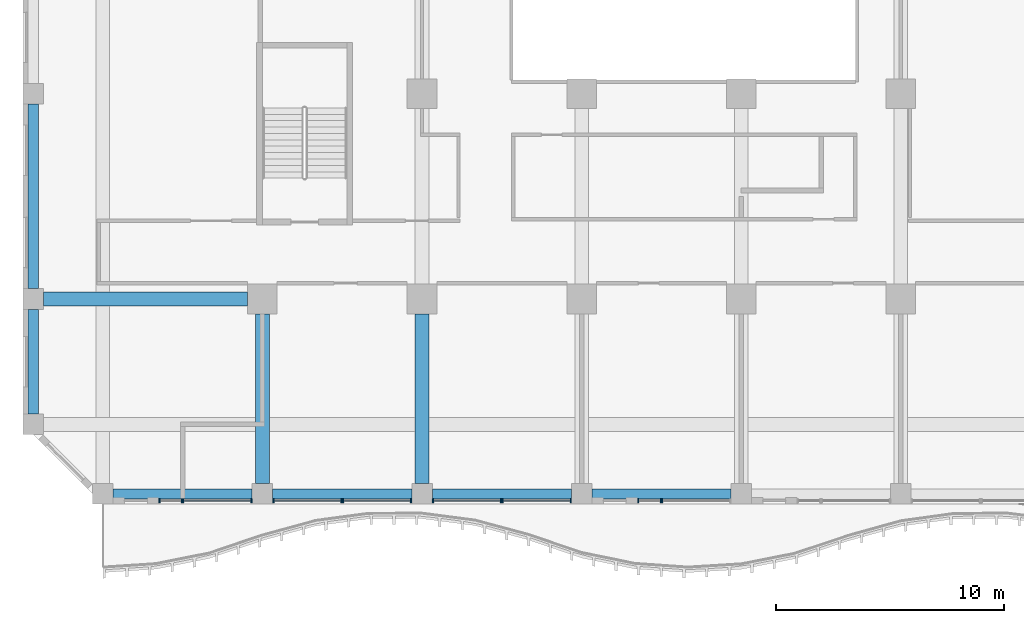
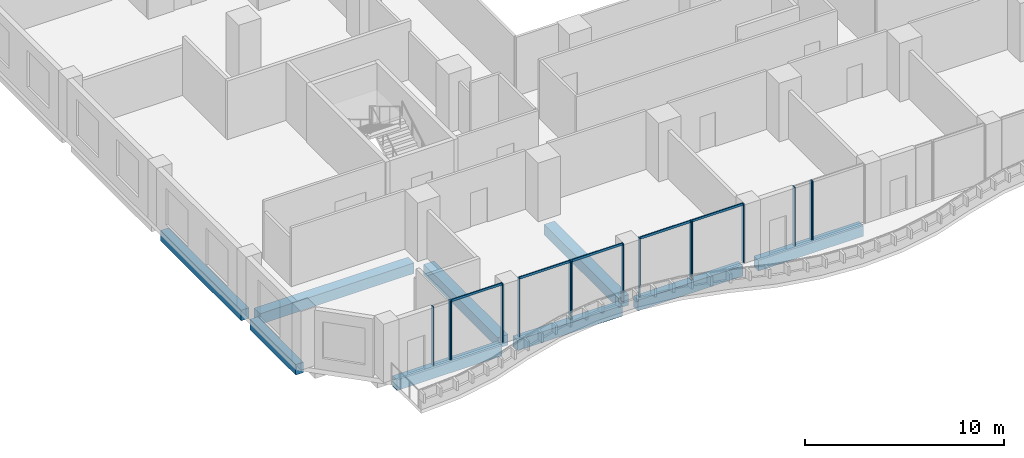
# One storey, part 2 of 23: 20 members, 9 beams, 8 elements without a shape of their own.
"""IFC4 building model written with IfcOpenShell, lengths in metres."""

from ifc_helpers import new_model, si_unit, direction, frame, origin, origin_2d, place, context, subcontext, project, spatial, rectangle, extrude, source, transform, mapped, material, material_profile, profile_set, type_object, element, aggregate, save


model = new_model("IFC4")

# Units and contexts
model_context = context("Model", 3, precision=1e-05, world=origin(), true_north=direction((0.0, 1.0)))
body_context = subcontext(model_context, "Body", "Model", "MODEL_VIEW")
ifc_project = project(units=[si_unit("LENGTHUNIT", "METRE"), si_unit("AREAUNIT", "SQUARE_METRE"), si_unit("VOLUMEUNIT", "CUBIC_METRE"), si_unit("PLANEANGLEUNIT", "RADIAN"), si_unit("MASSUNIT", "GRAM", prefix="KILO")], contexts=[model_context])

# Site, building, storey
site_placement = place(None, origin())
site = spatial("IfcSite", under=ifc_project, at=site_placement, CompositionType="ELEMENT")
building_placement = place(site_placement, origin())
building = spatial("IfcBuilding", under=site, at=building_placement, Name="Kilnfold Tower and Market Hall", CompositionType="ELEMENT")
storey_placement = place(building_placement, frame((0.0, 0.0, 55.0)))
storey = spatial("IfcBuildingStorey", under=building, at=storey_placement, Name="L12", CompositionType="ELEMENT", Elevation=55.0)

# Beams
ifc_material_1 = material(Name="Concrete C45", Category="concrete")
ifc_material_profile_1 = material_profile(ifc_material_1, rectangle(XDim=0.449951171875, YDim=0.64990234375, at=origin_2d()), Name="RC 450x650")
ifc_profile_set_1 = profile_set([ifc_material_profile_1], Name="Concrete C45")
beam_type_1 = type_object("IfcBeamType", Name="EDGE BEAM 450X650 C45", PredefinedType="BEAM", material=ifc_profile_set_1)
shared_shape_1 = source(origin(), body_context, "Body", "SweptSolid", [
    extrude(rectangle(XDim=0.449951171875, YDim=0.64990234375, at=origin_2d()), origin(), (0.0, 0.0, 1.0), 6.10009765625),
])
for number, where, z_axis, x_axis, name in (
    (1, (-24.050048828125, -27.550048828125, -0.60498046875), (1.0, 0.0, 0.0), (0.0, 1.0, 0.0), "Beam EB650-B1.1"),
    (2, (-17.050048828125, -27.550048828125, -0.60498046875), (1.0, 0.0, 0.0), (0.0, 1.0, 0.0), "Beam EB650-B1.54"),
    (3, (-10.050048828125, -27.550048828125, -0.60498046875), (1.0, 0.0, 0.0), (0.0, 1.0, 0.0), "Beam EB650-B1.2"),
    (4, (-3.050048828125, -27.550048828125, -0.60498046875), (1.0, 0.0, 0.0), (0.0, 1.0, 0.0), "Beam EB650-B1.3"),
):
    element("IfcBeam", number, at=place(storey_placement, frame(where, z_axis=z_axis, x_axis=x_axis)), inside=storey, type_object=beam_type_1, Name=name, PredefinedType="BEAM", context=body_context, shape_type="MappedRepresentation", body=[
        mapped(shared_shape_1, transform((0.0, 0.0, 0.0))),
    ])
ifc_material_2 = material(Name="Concrete C45", Category="concrete")
ifc_material_profile_2 = material_profile(ifc_material_2, rectangle(XDim=0.60009765625, YDim=0.64990234375, at=origin_2d()), Name="RC 600x650")
ifc_profile_set_2 = profile_set([ifc_material_profile_2], Name="Concrete C45")
beam_type_2 = type_object("IfcBeamType", Name="BEAM 600X650 C45", PredefinedType="BEAM", material=ifc_profile_set_2)
shared_shape_2 = source(origin(), body_context, "Body", "SweptSolid", [
    extrude(rectangle(XDim=0.60009765625, YDim=0.64990234375, at=origin_2d()), origin(), (0.0, 0.0, 1.0), 8.9501953125),
])
beam_1_placement = place(storey_placement, frame((-27.10009765625, -19.0, -0.60498046875), z_axis=(1.0, 0.0, 0.0), x_axis=(0.0, 1.0, 0.0)))
element("IfcBeam", 5, at=beam_1_placement, inside=storey, type_object=beam_type_2, Name="Beam BB650-B1.7", PredefinedType="BEAM", context=body_context, shape_type="MappedRepresentation", body=[
    mapped(shared_shape_2, transform((0.0, 0.0, 0.0))),
])
shared_shape_3 = source(origin(), body_context, "Body", "SweptSolid", [
    extrude(rectangle(XDim=0.449951171875, YDim=0.64990234375, at=origin_2d()), origin(), (0.0, 0.0, 1.0), 4.60009765625),
])
beam_2_placement = place(storey_placement, frame((-27.550048828125, -24.050048828125, -0.60498046875), z_axis=(0.0, 1.0, 0.0), x_axis=(-1.0, 0.0, 0.0)))
element("IfcBeam", 6, at=beam_2_placement, inside=storey, type_object=beam_type_1, Name="Beam EB650-B1.30", PredefinedType="BEAM", context=body_context, shape_type="MappedRepresentation", body=[
    mapped(shared_shape_3, transform((0.0, 0.0, 0.0))),
])
shared_shape_4 = source(origin(), body_context, "Body", "SweptSolid", [
    extrude(rectangle(XDim=0.449951171875, YDim=0.64990234375, at=origin_2d()), origin(), (0.0, 0.0, 1.0), 8.10009765625),
])
beam_3_placement = place(storey_placement, frame((-27.550048828125, -18.550048828125, -0.60498046875), z_axis=(0.0, 1.0, 0.0), x_axis=(-1.0, 0.0, 0.0)))
element("IfcBeam", 7, at=beam_3_placement, inside=storey, type_object=beam_type_1, Name="Beam EB650-B1.31", PredefinedType="BEAM", context=body_context, shape_type="MappedRepresentation", body=[
    mapped(shared_shape_4, transform((0.0, 0.0, 0.0))),
])
shared_shape_5 = source(origin(), body_context, "Body", "SweptSolid", [
    extrude(rectangle(XDim=0.60009765625, YDim=0.64990234375, at=origin_2d()), origin(), (0.0, 0.0, 1.0), 7.4501953125),
])
for number, where, z_axis, x_axis, name in (
    (8, (-17.5, -27.10009765625, -0.60498046875), (0.0, 1.0, 0.0), (-1.0, 0.0, 0.0), "Beam BB650-B1.36"),
    (9, (-10.5, -27.10009765625, -0.60498046875), (0.0, 1.0, 0.0), (-1.0, 0.0, 0.0), "Beam BB650-B1.40"),
):
    element("IfcBeam", number, at=place(storey_placement, frame(where, z_axis=z_axis, x_axis=x_axis)), inside=storey, type_object=beam_type_2, Name=name, PredefinedType="BEAM", context=body_context, shape_type="MappedRepresentation", body=[
        mapped(shared_shape_5, transform((0.0, 0.0, 0.0))),
    ])

# Curtain wall, member
ifc_material_3 = material(Name="Aluminium and double glazing", Category="aluminium")
curtain_wall_type = type_object("IfcCurtainWallType", Name="CW OF1 VALLEY GLAZING", PredefinedType="NOTDEFINED", material=ifc_material_3)
curtain_wall_1_placement = place(storey_placement, origin())
curtain_wall_1 = element("IfcCurtainWall", 10, at=curtain_wall_1_placement, inside=storey, type_object=curtain_wall_type, Name="Curtain wall CW1 L12 S", PredefinedType="NOTDEFINED")
ifc_material_4 = material(Name="Aluminium", Category="aluminium")
ifc_material_profile_3 = material_profile(ifc_material_4, rectangle(XDim=0.06005859375, YDim=0.139892578125, at=origin_2d()), Name="TRANSOM 60x140")
ifc_profile_set_3 = profile_set([ifc_material_profile_3], Name="Aluminium")
member_type_1 = type_object("IfcMemberType", Name="TRANSOM 60X140", PredefinedType="USERDEFINED", material=ifc_profile_set_3)
shared_shape_6 = source(origin(), body_context, "Body", "SweptSolid", [
    extrude(rectangle(XDim=0.06005859375, YDim=0.139892578125, at=origin_2d()), origin(), (0.0, 0.0, 1.0), 2.929931640625),
])
member_1_placement = place(storey_placement, frame((-20.93994140625, -27.85009765625, 3.570068359375), z_axis=(1.0, 0.0, 0.0), x_axis=(0.0, 1.0, 0.0)))
member_1 = element("IfcMember", 11, at=member_1_placement, type_object=member_type_1, Name="CW1 transom 1.2", ObjectType="TRANSOM", PredefinedType="USERDEFINED", context=body_context, shape_type="MappedRepresentation", body=[
    mapped(shared_shape_6, transform((0.0, 0.0, 0.0))),
])

curtain_wall_2_placement = place(storey_placement, origin())
curtain_wall_2 = element("IfcCurtainWall", 12, at=curtain_wall_2_placement, inside=storey, type_object=curtain_wall_type, Name="Curtain wall CW1 L12 S", PredefinedType="NOTDEFINED")
member_2_placement = place(storey_placement, frame((-16.989990234375, -27.85009765625, 3.570068359375), z_axis=(1.0, 0.0, 0.0), x_axis=(0.0, 1.0, 0.0)))
member_2 = element("IfcMember", 13, at=member_2_placement, type_object=member_type_1, Name="CW1 transom 1.2", ObjectType="TRANSOM", PredefinedType="USERDEFINED", context=body_context, shape_type="MappedRepresentation", body=[
    mapped(shared_shape_6, transform((0.0, 0.0, 0.0))),
])

curtain_wall_3_placement = place(storey_placement, origin())
curtain_wall_3 = element("IfcCurtainWall", 14, at=curtain_wall_3_placement, inside=storey, type_object=curtain_wall_type, Name="Curtain wall CW1 L12 S", PredefinedType="NOTDEFINED")
member_3_placement = place(storey_placement, frame((-13.93994140625, -27.85009765625, 3.570068359375), z_axis=(1.0, 0.0, 0.0), x_axis=(0.0, 1.0, 0.0)))
member_3 = element("IfcMember", 15, at=member_3_placement, type_object=member_type_1, Name="CW1 transom 1.2", ObjectType="TRANSOM", PredefinedType="USERDEFINED", context=body_context, shape_type="MappedRepresentation", body=[
    mapped(shared_shape_6, transform((0.0, 0.0, 0.0))),
])

curtain_wall_4_placement = place(storey_placement, origin())
curtain_wall_4 = element("IfcCurtainWall", 16, at=curtain_wall_4_placement, inside=storey, type_object=curtain_wall_type, Name="Curtain wall CW1 L12 S", PredefinedType="NOTDEFINED")
member_4_placement = place(storey_placement, frame((-9.989990234375, -27.85009765625, 3.570068359375), z_axis=(1.0, 0.0, 0.0), x_axis=(0.0, 1.0, 0.0)))
member_4 = element("IfcMember", 17, at=member_4_placement, type_object=member_type_1, Name="CW1 transom 1.2", ObjectType="TRANSOM", PredefinedType="USERDEFINED", context=body_context, shape_type="MappedRepresentation", body=[
    mapped(shared_shape_6, transform((0.0, 0.0, 0.0))),
])

curtain_wall_5_placement = place(storey_placement, origin())
curtain_wall_5 = element("IfcCurtainWall", 18, at=curtain_wall_5_placement, inside=storey, type_object=curtain_wall_type, Name="Curtain wall CW1 L12 S", PredefinedType="NOTDEFINED")
member_5_placement = place(storey_placement, frame((-6.93994140625, -27.85009765625, 3.570068359375), z_axis=(1.0, 0.0, 0.0), x_axis=(0.0, 1.0, 0.0)))
member_5 = element("IfcMember", 19, at=member_5_placement, type_object=member_type_1, Name="CW1 transom 1.2", ObjectType="TRANSOM", PredefinedType="USERDEFINED", context=body_context, shape_type="MappedRepresentation", body=[
    mapped(shared_shape_6, transform((0.0, 0.0, 0.0))),
])

# Curtain wall, members
curtain_wall_6_placement = place(storey_placement, origin())
curtain_wall_6 = element("IfcCurtainWall", 20, at=curtain_wall_6_placement, inside=storey, type_object=curtain_wall_type, Name="Curtain wall CW1 L12 S", PredefinedType="NOTDEFINED")
ifc_material_5 = material(Name="Aluminium", Category="aluminium")
ifc_material_profile_4 = material_profile(ifc_material_5, rectangle(XDim=0.06005859375, YDim=0.179931640625, at=origin_2d()), Name="MULLION 60x180")
ifc_profile_set_4 = profile_set([ifc_material_profile_4], Name="Aluminium")
member_type_2 = type_object("IfcMemberType", Name="MULLION 60X180", PredefinedType="MULLION", material=ifc_profile_set_4)
shared_shape_7 = source(origin(), body_context, "Body", "SweptSolid", [
    extrude(rectangle(XDim=0.06005859375, YDim=0.179931640625, at=origin_2d()), origin(), (0.0, 0.0, 1.0), 3.60009765625),
])
member_6_placement = place(storey_placement, frame((-22.02001953125, -27.85009765625, 0.0), z_axis=(0.0, 0.0, 1.0), x_axis=(1.0, 0.0, 0.0)))
member_6 = element("IfcMember", 21, at=member_6_placement, type_object=member_type_2, Name="CW1 mullion 1", PredefinedType="MULLION", context=body_context, shape_type="MappedRepresentation", body=[
    mapped(shared_shape_7, transform((0.0, 0.0, 0.0))),
])
member_7_placement = place(storey_placement, frame((-21.030029296875, -27.85009765625, 0.0), z_axis=(0.0, 0.0, 1.0), x_axis=(1.0, 0.0, 0.0)))
member_7 = element("IfcMember", 22, at=member_7_placement, type_object=member_type_2, Name="CW1 mullion 2", PredefinedType="MULLION", context=body_context, shape_type="MappedRepresentation", body=[
    mapped(shared_shape_7, transform((0.0, 0.0, 0.0))),
])
aggregate(curtain_wall_6, [member_6, member_7])

# Member
member_8_placement = place(storey_placement, frame((-20.969970703125, -27.85009765625, 0.0), z_axis=(0.0, 0.0, 1.0), x_axis=(1.0, 0.0, 0.0)))
member_8 = element("IfcMember", 23, at=member_8_placement, type_object=member_type_2, Name="CW1 mullion 1", PredefinedType="MULLION", context=body_context, shape_type="MappedRepresentation", body=[
    mapped(shared_shape_7, transform((0.0, 0.0, 0.0))),
])

member_9_placement = place(storey_placement, frame((-17.97998046875, -27.85009765625, 0.0), z_axis=(0.0, 0.0, 1.0), x_axis=(1.0, 0.0, 0.0)))
member_9 = element("IfcMember", 24, at=member_9_placement, type_object=member_type_2, Name="CW1 mullion 2", PredefinedType="MULLION", context=body_context, shape_type="MappedRepresentation", body=[
    mapped(shared_shape_7, transform((0.0, 0.0, 0.0))),
])

aggregate(curtain_wall_1, [member_8, member_9, member_1])

member_10_placement = place(storey_placement, frame((-17.02001953125, -27.85009765625, 0.0), z_axis=(0.0, 0.0, 1.0), x_axis=(1.0, 0.0, 0.0)))
member_10 = element("IfcMember", 25, at=member_10_placement, type_object=member_type_2, Name="CW1 mullion 1", PredefinedType="MULLION", context=body_context, shape_type="MappedRepresentation", body=[
    mapped(shared_shape_7, transform((0.0, 0.0, 0.0))),
])

member_11_placement = place(storey_placement, frame((-14.030029296875, -27.85009765625, 0.0), z_axis=(0.0, 0.0, 1.0), x_axis=(1.0, 0.0, 0.0)))
member_11 = element("IfcMember", 26, at=member_11_placement, type_object=member_type_2, Name="CW1 mullion 2", PredefinedType="MULLION", context=body_context, shape_type="MappedRepresentation", body=[
    mapped(shared_shape_7, transform((0.0, 0.0, 0.0))),
])

aggregate(curtain_wall_2, [member_10, member_11, member_2])

member_12_placement = place(storey_placement, frame((-13.969970703125, -27.85009765625, 0.0), z_axis=(0.0, 0.0, 1.0), x_axis=(1.0, 0.0, 0.0)))
member_12 = element("IfcMember", 27, at=member_12_placement, type_object=member_type_2, Name="CW1 mullion 1", PredefinedType="MULLION", context=body_context, shape_type="MappedRepresentation", body=[
    mapped(shared_shape_7, transform((0.0, 0.0, 0.0))),
])

member_13_placement = place(storey_placement, frame((-10.97998046875, -27.85009765625, 0.0), z_axis=(0.0, 0.0, 1.0), x_axis=(1.0, 0.0, 0.0)))
member_13 = element("IfcMember", 28, at=member_13_placement, type_object=member_type_2, Name="CW1 mullion 2", PredefinedType="MULLION", context=body_context, shape_type="MappedRepresentation", body=[
    mapped(shared_shape_7, transform((0.0, 0.0, 0.0))),
])

aggregate(curtain_wall_3, [member_12, member_13, member_3])

member_14_placement = place(storey_placement, frame((-10.02001953125, -27.85009765625, 0.0), z_axis=(0.0, 0.0, 1.0), x_axis=(1.0, 0.0, 0.0)))
member_14 = element("IfcMember", 29, at=member_14_placement, type_object=member_type_2, Name="CW1 mullion 1", PredefinedType="MULLION", context=body_context, shape_type="MappedRepresentation", body=[
    mapped(shared_shape_7, transform((0.0, 0.0, 0.0))),
])

member_15_placement = place(storey_placement, frame((-7.030029296875, -27.85009765625, 0.0), z_axis=(0.0, 0.0, 1.0), x_axis=(1.0, 0.0, 0.0)))
member_15 = element("IfcMember", 30, at=member_15_placement, type_object=member_type_2, Name="CW1 mullion 2", PredefinedType="MULLION", context=body_context, shape_type="MappedRepresentation", body=[
    mapped(shared_shape_7, transform((0.0, 0.0, 0.0))),
])

aggregate(curtain_wall_4, [member_14, member_15, member_4])

member_16_placement = place(storey_placement, frame((-6.969970703125, -27.85009765625, 0.0), z_axis=(0.0, 0.0, 1.0), x_axis=(1.0, 0.0, 0.0)))
member_16 = element("IfcMember", 31, at=member_16_placement, type_object=member_type_2, Name="CW1 mullion 1", PredefinedType="MULLION", context=body_context, shape_type="MappedRepresentation", body=[
    mapped(shared_shape_7, transform((0.0, 0.0, 0.0))),
])

member_17_placement = place(storey_placement, frame((-3.97998046875, -27.85009765625, 0.0), z_axis=(0.0, 0.0, 1.0), x_axis=(1.0, 0.0, 0.0)))
member_17 = element("IfcMember", 32, at=member_17_placement, type_object=member_type_2, Name="CW1 mullion 2", PredefinedType="MULLION", context=body_context, shape_type="MappedRepresentation", body=[
    mapped(shared_shape_7, transform((0.0, 0.0, 0.0))),
])

aggregate(curtain_wall_5, [member_16, member_17, member_5])

# Curtain wall, members
curtain_wall_7_placement = place(storey_placement, origin())
curtain_wall_7 = element("IfcCurtainWall", 33, at=curtain_wall_7_placement, inside=storey, type_object=curtain_wall_type, Name="Curtain wall CW1 L12 S", PredefinedType="NOTDEFINED")
member_18_placement = place(storey_placement, frame((-1.02001953125, -27.85009765625, 0.0), z_axis=(0.0, 0.0, 1.0), x_axis=(1.0, 0.0, 0.0)))
member_18 = element("IfcMember", 34, at=member_18_placement, type_object=member_type_2, Name="CW1 mullion 1", PredefinedType="MULLION", context=body_context, shape_type="MappedRepresentation", body=[
    mapped(shared_shape_7, transform((0.0, 0.0, 0.0))),
])
member_19_placement = place(storey_placement, frame((-0.030029296875, -27.85009765625, 0.0), z_axis=(0.0, 0.0, 1.0), x_axis=(1.0, 0.0, 0.0)))
member_19 = element("IfcMember", 35, at=member_19_placement, type_object=member_type_2, Name="CW1 mullion 2", PredefinedType="MULLION", context=body_context, shape_type="MappedRepresentation", body=[
    mapped(shared_shape_7, transform((0.0, 0.0, 0.0))),
])
aggregate(curtain_wall_7, [member_18, member_19])

# Curtain wall, member
curtain_wall_8_placement = place(storey_placement, origin())
curtain_wall_8 = element("IfcCurtainWall", 36, at=curtain_wall_8_placement, inside=storey, type_object=curtain_wall_type, Name="Curtain wall CW1 L12 S", PredefinedType="NOTDEFINED")
member_20_placement = place(storey_placement, frame((0.030029296875, -27.85009765625, 0.0), z_axis=(0.0, 0.0, 1.0), x_axis=(1.0, 0.0, 0.0)))
member_20 = element("IfcMember", 37, at=member_20_placement, type_object=member_type_2, Name="CW1 mullion 1", PredefinedType="MULLION", context=body_context, shape_type="MappedRepresentation", body=[
    mapped(shared_shape_7, transform((0.0, 0.0, 0.0))),
])
aggregate(curtain_wall_8, [member_20])

save(model, "model.ifc")
